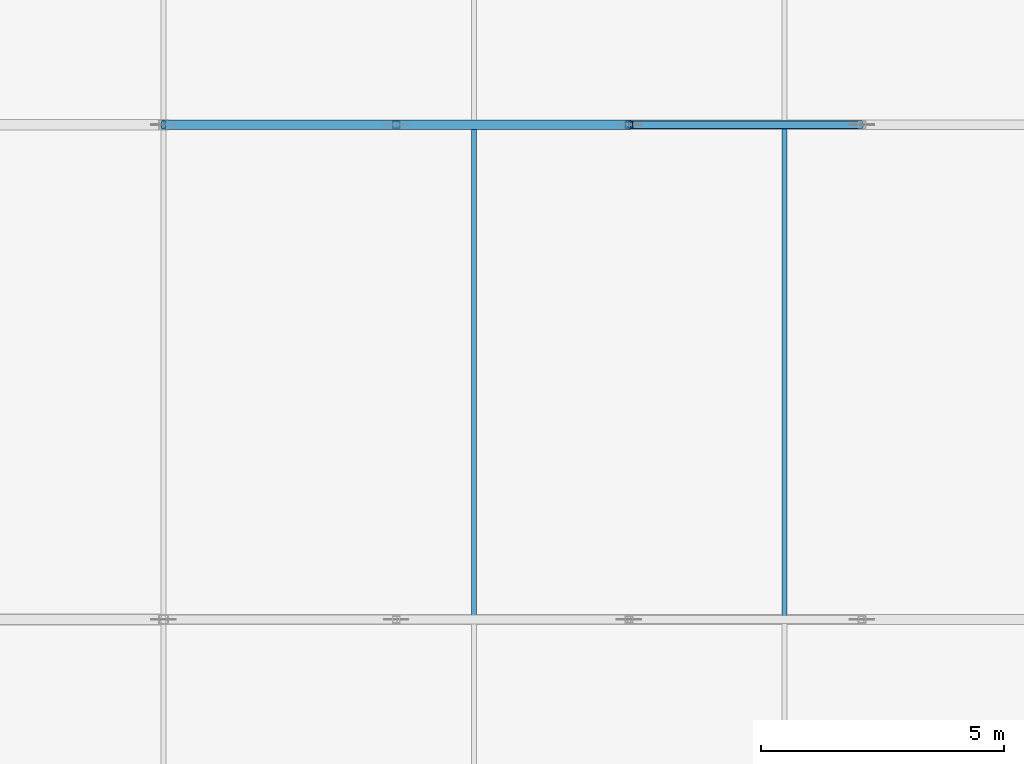
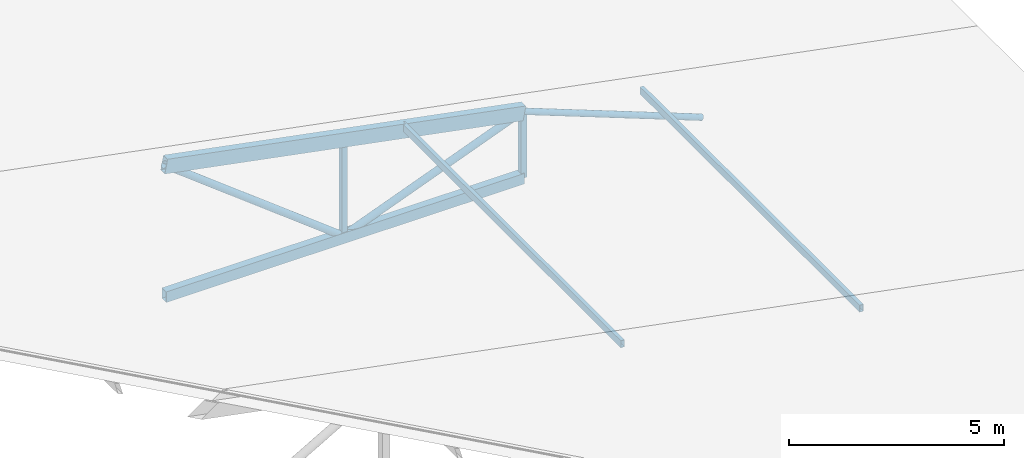
# One storey, part 75 of 200: 9 members.
"""IFC4 building model written with IfcOpenShell, lengths in metres."""

import ifcopenshell
import ifcopenshell.guid

model = None  # the IFC model being written
_history = None  # IfcOwnerHistory: only IFC2X3 demands one
_inside = {}  # id of a spatial element -> (the spatial element, [elements in it])
_under = {}  # id of a project, library or spatial element -> (it, [spatial elements below it])
_declared = {}  # id of a project -> (the project, [libraries it declares])
_typed = {}  # id of a type object -> (the type object, [elements of that type])
_made_of = {}  # id of a material, layer set ... -> (it, [elements and type objects made of it])


def new_model(schema):
    """Start an empty IFC model of exactly this schema.

    Asked for "IFC4X3", IfcOpenShell would pick the latest addendum, in which some entities
    have other attributes; the version numbers below select the first issue.
    IFC2X3 requires an IfcOwnerHistory on every rooted entity: one is made here for all.
    """
    global model, _history
    if schema == "IFC4X3":
        model = ifcopenshell.file(schema_version=(4, 3, 0, 0))
    else:
        model = ifcopenshell.file(schema=schema)
    _inside.clear()
    _under.clear()
    _declared.clear()
    _typed.clear()
    _made_of.clear()
    _history = None
    if model.schema == "IFC2X3":
        org = make("IfcOrganization", Name="unknown")
        user = make(
            "IfcPersonAndOrganization",
            ThePerson=make("IfcPerson", FamilyName="unknown"),
            TheOrganization=org,
        )
        app = make(
            "IfcApplication",
            ApplicationDeveloper=org,
            Version="unknown",
            ApplicationFullName="unknown",
            ApplicationIdentifier="unknown",
        )
        _history = make(
            "IfcOwnerHistory",
            OwningUser=user,
            OwningApplication=app,
            ChangeAction="ADDED",
            CreationDate=0,
        )
    return model


def make(cls, **values):
    """One entity of the class cls with the attributes given. An attribute that is None is left unset."""
    return model.create_entity(
        cls, **{name: value for name, value in values.items() if value is not None}
    )


def rooted(cls, **values):
    """An entity with a GlobalId (a new one), such as an element, a storey or a relation."""
    return make(cls, GlobalId=ifcopenshell.guid.new(), OwnerHistory=_history, **values)


def si_unit(unit_type, name, prefix=None):
    """IfcSIUnit, for example si_unit("LENGTHUNIT", "METRE", prefix="MILLI")."""
    return make("IfcSIUnit", UnitType=unit_type, Prefix=prefix, Name=name)


def assignment(units):
    """IfcUnitAssignment: the units of a project."""
    return None if units is None else make("IfcUnitAssignment", Units=units)


def point(xyz):
    """IfcCartesianPoint."""
    return None if xyz is None else make("IfcCartesianPoint", Coordinates=xyz)


def direction(xyz):
    """IfcDirection."""
    return None if xyz is None else make("IfcDirection", DirectionRatios=xyz)


def frame(location, z_axis=None, x_axis=None):
    """IfcAxis2Placement3D, a coordinate frame: its origin and axes. An axis left out is left unset."""
    return make(
        "IfcAxis2Placement3D",
        Location=point(location),
        Axis=direction(z_axis),
        RefDirection=direction(x_axis),
    )


def frame_2d(location, x_axis=None):
    """IfcAxis2Placement2D, a coordinate frame in the plane: its origin and x axis."""
    return make(
        "IfcAxis2Placement2D", Location=point(location), RefDirection=direction(x_axis)
    )


def origin():
    """The frame at (0, 0, 0) with its axes left unset."""
    return frame((0.0, 0.0, 0.0))


def origin_2d():
    """The frame at (0, 0) in the plane with its x axis left unset."""
    return frame_2d((0.0, 0.0))


def place(relative_to, where):
    """IfcLocalPlacement: puts the frame where relative to a parent placement (None: the world)."""
    return make(
        "IfcLocalPlacement", PlacementRelTo=relative_to, RelativePlacement=where
    )


def context(
    kind, dimensions, precision=None, world=None, true_north=None, identifier=None
):
    """IfcGeometricRepresentationContext, for example the 3D "Model" context."""
    return make(
        "IfcGeometricRepresentationContext",
        ContextIdentifier=identifier,
        ContextType=kind,
        CoordinateSpaceDimension=dimensions,
        Precision=precision,
        WorldCoordinateSystem=world,
        TrueNorth=true_north,
    )


def subcontext(parent, identifier, kind, view, scale=None):
    """IfcGeometricRepresentationSubContext, for example "Body" below "Model"."""
    return make(
        "IfcGeometricRepresentationSubContext",
        ContextIdentifier=identifier,
        ContextType=kind,
        ParentContext=parent,
        TargetScale=scale,
        TargetView=view,
    )


def project(units=None, contexts=None):
    """IfcProject with its units and contexts."""
    return rooted(
        "IfcProject",
        Name="project",
        RepresentationContexts=contexts,
        UnitsInContext=assignment(units),
    )


def spatial(cls, under=None, at=None, **own):
    """A site, building, storey or space (cls), placed at a placement, below another one or the project."""
    s = rooted(cls, ObjectPlacement=at, **own)
    if under is not None:
        _under.setdefault(under.id(), (under, []))[1].append(s)
    return s


def profile(cls, at=None, kind="AREA", **sizes):
    """A parametric profile (cls). Its sizes go by their IFC names, for example OverallWidth=200.0."""
    return make(cls, ProfileType=kind, Position=at, **sizes)


def hollow_rectangle(**sizes):
    """IfcRectangleHollowProfileDef."""
    return profile("IfcRectangleHollowProfileDef", **sizes)


def hollow_circle(**sizes):
    """IfcCircleHollowProfileDef."""
    return profile("IfcCircleHollowProfileDef", **sizes)


def extrude(swept, where, along, depth):
    """IfcExtrudedAreaSolid: the profile swept, set in the frame where, extruded along a direction by depth."""
    return make(
        "IfcExtrudedAreaSolid",
        SweptArea=swept,
        Position=where,
        ExtrudedDirection=direction(along),
        Depth=depth,
    )


def shape(context_of_items, identifier, shape_type, items):
    """IfcShapeRepresentation: the items that make up one representation, for example the "Body"."""
    return make(
        "IfcShapeRepresentation",
        ContextOfItems=context_of_items,
        RepresentationIdentifier=identifier,
        RepresentationType=shape_type,
        Items=items,
    )


def material(Name=None, Category=None):
    """IfcMaterial."""
    return make("IfcMaterial", Name=Name, Category=Category)


def material_profile(
    of_material, cross_section, Name=None, Category=None, Priority=None
):
    """IfcMaterialProfile: a cross section and its material."""
    return make(
        "IfcMaterialProfile",
        Name=Name,
        Material=of_material,
        Profile=cross_section,
        Priority=Priority,
        Category=Category,
    )


def profile_set(profiles, Name=None, composite=None):
    """IfcMaterialProfileSet."""
    return make(
        "IfcMaterialProfileSet",
        Name=Name,
        MaterialProfiles=profiles,
        CompositeProfile=composite,
    )


def made_of(thing, what):
    """Note that an element or type object is made of a material, layer set ...; save() writes the relation."""
    if what is not None:
        _made_of.setdefault(what.id(), (what, []))[1].append(thing)
    return thing


def type_object(cls, material=None, **own):
    """A type object (cls), such as IfcWallType, which elements share."""
    return made_of(rooted(cls, **own), material)


def element(
    cls,
    number,
    at=None,
    inside=None,
    cuts=None,
    type_object=None,
    material=None,
    context=None,
    identifier="Body",
    shape_type=None,
    held_by="IfcProductDefinitionShape",
    body=None,
    shapes=None,
    **own,
):
    """One element of the class cls, such as IfcWall. Its Tag is "e" and its number.

    at: its placement. inside: the storey or other place that contains it. cuts: it is an
    opening in that element (IfcRelVoidsElement). A single representation is given by context,
    identifier, shape_type and body (its items); several are given by shapes. held_by: the class
    of the entity that holds the representations. save() writes the other relations.
    """
    e = rooted(cls, Tag="e%d" % number, ObjectPlacement=at, **own)
    if body is not None:
        shapes = [shape(context, identifier, shape_type, body)]
    if shapes is not None:
        e.Representation = make(held_by, Representations=shapes)
    if inside is not None:
        _inside.setdefault(inside.id(), (inside, []))[1].append(e)
    if cuts is not None:
        rooted(
            "IfcRelVoidsElement", RelatingBuildingElement=cuts, RelatedOpeningElement=e
        )
    if type_object is not None:
        _typed.setdefault(type_object.id(), (type_object, []))[1].append(e)
    return made_of(e, material)


def aggregate(whole, parts):
    """IfcRelAggregates: a whole, such as a stair, and the parts it consists of."""
    return rooted("IfcRelAggregates", RelatingObject=whole, RelatedObjects=parts)


def save(model, path):
    """Write the relations noted so far, then the file.

    IfcRelAggregates (storeys below a building ...), IfcRelContainedInSpatialStructure (elements
    in a storey), IfcRelDefinesByType, IfcRelAssociatesMaterial and IfcRelDeclares: one each for
    every whole, place, type object, material and project.
    """
    for whole, parts in _under.values():
        aggregate(whole, parts)
    for where, things in _inside.values():
        rooted(
            "IfcRelContainedInSpatialStructure",
            RelatedElements=things,
            RelatingStructure=where,
        )
    for kind, things in _typed.values():
        rooted("IfcRelDefinesByType", RelatedObjects=things, RelatingType=kind)
    for what, things in _made_of.values():
        rooted("IfcRelAssociatesMaterial", RelatedObjects=things, RelatingMaterial=what)
    for by, libraries in _declared.values():
        rooted("IfcRelDeclares", RelatingContext=by, RelatedDefinitions=libraries)
    model.write(path)


model = new_model("IFC4")

# Units and contexts
model_context = context("Model", 3, precision=1e-05, world=origin(), true_north=direction((0.0, 1.0)))
body_context = subcontext(model_context, "Body", "Model", "MODEL_VIEW")
ifc_project = project(units=[si_unit("LENGTHUNIT", "METRE"), si_unit("AREAUNIT", "SQUARE_METRE"), si_unit("VOLUMEUNIT", "CUBIC_METRE"), si_unit("PLANEANGLEUNIT", "RADIAN"), si_unit("MASSUNIT", "GRAM", prefix="KILO")], contexts=[model_context])

# Site, building, storey
site_placement = place(None, origin())
site = spatial("IfcSite", under=ifc_project, at=site_placement, CompositionType="ELEMENT")
building_placement = place(site_placement, origin())
building = spatial("IfcBuilding", under=site, at=building_placement, Name="Vondelvale Polytechnic", CompositionType="ELEMENT")
storey_placement = place(building_placement, frame((0.0, 0.0, 13.800048828125)))
storey = spatial("IfcBuildingStorey", under=building, at=storey_placement, Name="L03", CompositionType="ELEMENT", Elevation=13.800048828125)

# Members
ifc_material = material(Name="Steel C350L0 (fy = 350 MPa)", Category="steel")
ifc_material_profile_1 = material_profile(ifc_material, hollow_rectangle(XDim=0.10009765625, YDim=0.199951171875, WallThickness=0.006103515625, at=origin_2d()), Name="200x100x6.0RHS")
ifc_profile_set_1 = profile_set([ifc_material_profile_1], Name="Steel C350L0 (fy = 350 MPa)")
member_type_1 = type_object("IfcMemberType", Name="PURLIN RHS200", PredefinedType="PURLIN", material=ifc_profile_set_1)
for number, where, z_axis, x_axis, name in (
    (1, (35.199951171875, 91.800048828125, 2.14794921875), (0.0, 1.0, 0.0), (-1.0, 0.0, 0.0), "Workshop roof purlin bay 5"),
    (2, (41.60009765625, 91.800048828125, 0.91455078125), (0.0, 1.0, 0.0), (-1.0, 0.0, 0.0), "Workshop roof purlin bay 5"),
):
    element("IfcMember", number, at=place(storey_placement, frame(where, z_axis=z_axis, x_axis=x_axis)), inside=storey, type_object=member_type_1, Name=name, PredefinedType="PURLIN", context=body_context, shape_type="SweptSolid", body=[
        extrude(hollow_rectangle(XDim=0.10009765625, YDim=0.199951171875, WallThickness=0.006103515625, at=origin_2d()), origin(), (0.0, 0.0, 1.0), 10.199951171875),
    ])
ifc_material_profile_2 = material_profile(ifc_material, hollow_rectangle(XDim=0.199951171875, YDim=0.300048828125, WallThickness=0.008056640625, at=origin_2d()), Name="300x200x8.0RHS")
ifc_profile_set_2 = profile_set([ifc_material_profile_2], Name="Steel C350L0 (fy = 350 MPa)")
member_type_2 = type_object("IfcMemberType", Name="ROOF TRUSS BOT CHORD 300RHS", PredefinedType="CHORD", material=ifc_profile_set_2)
member_1_placement = place(storey_placement, frame((28.800048828125, 102.0, -0.420166015625), z_axis=(1.0, 0.0, 0.0), x_axis=(0.0, 1.0, 0.0)))
element("IfcMember", 3, at=member_1_placement, inside=storey, type_object=member_type_2, Name="ROOF TRUSS TR-06 bottom chord 2", PredefinedType="CHORD", context=body_context, shape_type="SweptSolid", body=[
    extrude(hollow_rectangle(XDim=0.199951171875, YDim=0.300048828125, WallThickness=0.008056640625, at=origin_2d()), origin(), (0.0, 0.0, 1.0), 9.599853515625),
])
ifc_material_profile_3 = material_profile(ifc_material, hollow_circle(Radius=0.084228515625, WallThickness=0.00634765625, at=origin_2d()), Name="168.3x6.4CHS")
ifc_profile_set_3 = profile_set([ifc_material_profile_3], Name="Steel C350L0 (fy = 350 MPa)")
member_type_3 = type_object("IfcMemberType", Name="ROOF TRUSS BRACE 168CHS", PredefinedType="BRACE", material=ifc_profile_set_3)
member_2_placement = place(storey_placement, frame((38.39990234375, 102.0, 1.429931640625), z_axis=(0.933089727442, 0.0, -0.359643657726), x_axis=(0.0, 1.0, 0.0)))
element("IfcMember", 4, at=member_2_placement, inside=storey, type_object=member_type_3, Name="ROOF TRUSS TR-06 web diagonal 8", PredefinedType="BRACE", context=body_context, shape_type="SweptSolid", body=[
    extrude(hollow_circle(Radius=0.084228515625, WallThickness=0.00634765625, at=origin_2d()), origin(), (0.0, 0.0, 1.0), 5.144287109375),
])
ifc_material_profile_4 = material_profile(ifc_material, hollow_circle(Radius=0.096923828125, WallThickness=0.00634765625, at=origin_2d()), Name="193.7x6.4CHS")
ifc_profile_set_4 = profile_set([ifc_material_profile_4], Name="Steel C350L0 (fy = 350 MPa)")
member_type_4 = type_object("IfcMemberType", Name="ROOF TRUSS BRACE 193CHS", PredefinedType="BRACE", material=ifc_profile_set_4)
member_3_placement = place(storey_placement, frame((28.800048828125, 102.0, 3.280029296875), z_axis=(0.791997617605, 0.0, -0.610524179463), x_axis=(0.0, 1.0, 0.0)))
element("IfcMember", 5, at=member_3_placement, inside=storey, type_object=member_type_4, Name="ROOF TRUSS TR-06 web diagonal 6", PredefinedType="BRACE", context=body_context, shape_type="SweptSolid", body=[
    extrude(hollow_circle(Radius=0.096923828125, WallThickness=0.00634765625, at=origin_2d()), origin(), (0.0, 0.0, 1.0), 6.060791015625),
])
member_4_placement = place(storey_placement, frame((33.60009765625, 102.0, -0.420166015625), z_axis=(0.933083588529, 0.0, 0.359659584632), x_axis=(0.0, 1.0, 0.0)))
element("IfcMember", 6, at=member_4_placement, inside=storey, type_object=member_type_4, Name="ROOF TRUSS TR-06 web diagonal 7", PredefinedType="BRACE", context=body_context, shape_type="SweptSolid", body=[
    extrude(hollow_circle(Radius=0.096923828125, WallThickness=0.00634765625, at=origin_2d()), origin(), (0.0, 0.0, 1.0), 5.14404296875),
])
ifc_material_profile_5 = material_profile(ifc_material, hollow_rectangle(XDim=0.14990234375, YDim=0.14990234375, WallThickness=0.006103515625, at=origin_2d()), Name="150x150x6.0SHS")
ifc_profile_set_5 = profile_set([ifc_material_profile_5], Name="Steel C350L0 (fy = 350 MPa)")
member_type_5 = type_object("IfcMemberType", Name="ROOF TRUSS POST 150SHS", PredefinedType="POST", material=ifc_profile_set_5)
member_5_placement = place(storey_placement, frame((33.60009765625, 102.0, -0.420166015625), z_axis=(0.0, 0.0, 1.0), x_axis=(1.0, 0.0, 0.0)))
element("IfcMember", 7, at=member_5_placement, inside=storey, type_object=member_type_5, Name="ROOF TRUSS TR-06 vertical post 6", PredefinedType="POST", context=body_context, shape_type="SweptSolid", body=[
    extrude(hollow_rectangle(XDim=0.14990234375, YDim=0.14990234375, WallThickness=0.006103515625, at=origin_2d()), origin(), (0.0, 0.0, 1.0), 2.775146484375),
])
member_6_placement = place(storey_placement, frame((38.39990234375, 102.0, -0.420166015625), z_axis=(0.0, 0.0, 1.0), x_axis=(1.0, 0.0, 0.0)))
element("IfcMember", 8, at=member_6_placement, inside=storey, type_object=member_type_5, Name="ROOF TRUSS TR-06 vertical post 7", PredefinedType="POST", context=body_context, shape_type="SweptSolid", body=[
    extrude(hollow_rectangle(XDim=0.14990234375, YDim=0.14990234375, WallThickness=0.006103515625, at=origin_2d()), origin(), (0.0, 0.0, 1.0), 1.85009765625),
])
ifc_material_profile_6 = material_profile(ifc_material, hollow_rectangle(XDim=0.199951171875, YDim=0.39990234375, WallThickness=0.010009765625, at=origin_2d()), Name="400x200x10.0RHS")
ifc_profile_set_6 = profile_set([ifc_material_profile_6], Name="Steel C350L0 (fy = 350 MPa)")
member_type_6 = type_object("IfcMemberType", Name="ROOF TRUSS TOP CHORD 400RHS", PredefinedType="CHORD", material=ifc_profile_set_6)
member_7_placement = place(storey_placement, frame((28.800048828125, 102.0, 3.280029296875), z_axis=(0.981931024806, 0.0, -0.189239167518), x_axis=(0.0, 1.0, 0.0)))
element("IfcMember", 9, at=member_7_placement, inside=storey, type_object=member_type_6, Name="ROOF TRUSS TR-06 top chord 4", PredefinedType="CHORD", context=body_context, shape_type="SweptSolid", body=[
    extrude(hollow_rectangle(XDim=0.199951171875, YDim=0.39990234375, WallThickness=0.010009765625, at=origin_2d()), origin(), (0.0, 0.0, 1.0), 9.776611328125),
])

save(model, "model.ifc")
